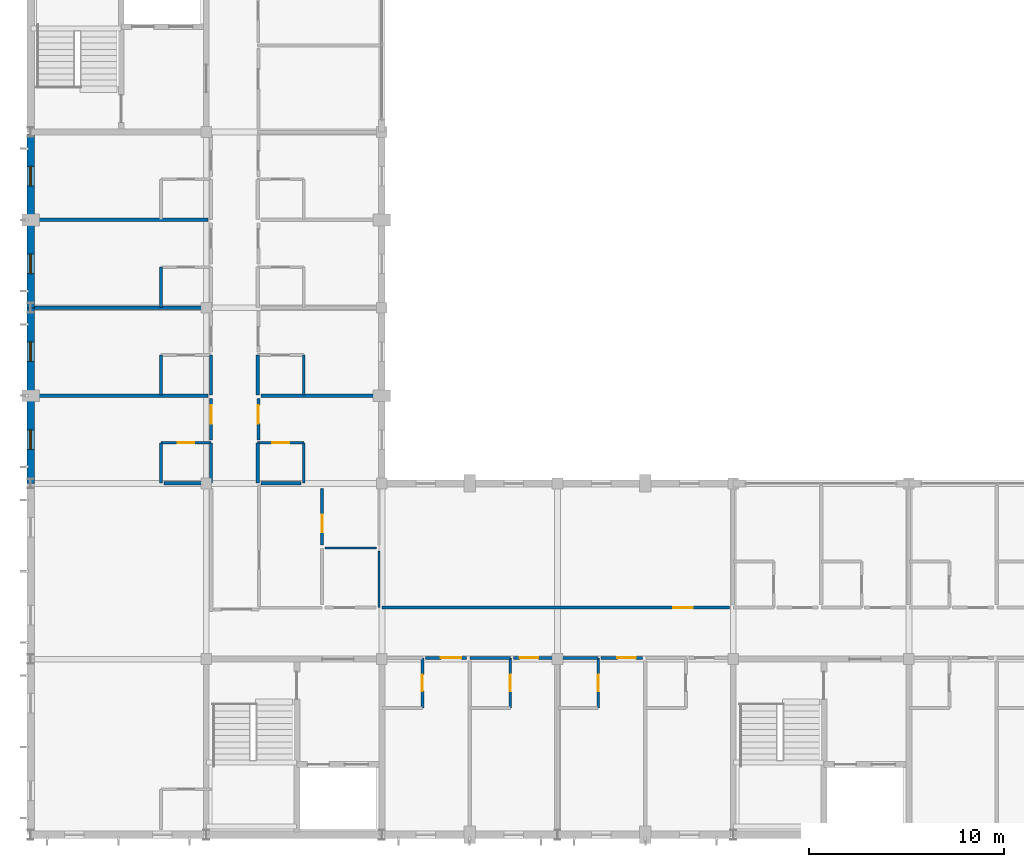
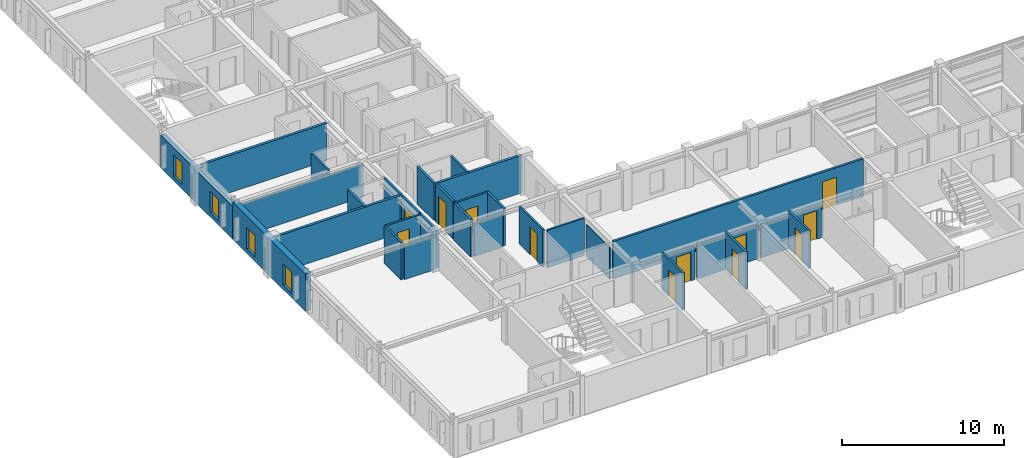
# One storey, part 18 of 37: 33 walls, 12 doors, 4 windows, 16 openings.
"""IFC4 building model written with IfcOpenShell, lengths in metres."""

from ifc_helpers import new_model, si_unit, direction, frame, frame_2d, origin, place, context, subcontext, project, spatial, rectangle, extrude, material, layer, layer_set, type_object, element, fill, save


model = new_model("IFC4")

# Units and contexts
model_context = context("Model", 3, precision=1e-05, world=origin(), true_north=direction((0.0, 1.0)))
body_context = subcontext(model_context, "Body", "Model", "MODEL_VIEW")
ifc_project = project(units=[si_unit("LENGTHUNIT", "METRE"), si_unit("AREAUNIT", "SQUARE_METRE"), si_unit("VOLUMEUNIT", "CUBIC_METRE"), si_unit("PLANEANGLEUNIT", "RADIAN"), si_unit("MASSUNIT", "GRAM", prefix="KILO")], contexts=[model_context])

# Site, building, storey
site_placement = place(None, origin())
site = spatial("IfcSite", under=ifc_project, at=site_placement, CompositionType="ELEMENT")
building_placement = place(site_placement, origin())
building = spatial("IfcBuilding", under=site, at=building_placement, Name="Palais des Congres Ocreval", CompositionType="ELEMENT")
storey_placement = place(building_placement, frame((0.0, 0.0, 11.52001953125)))
storey = spatial("IfcBuildingStorey", under=building, at=storey_placement, Name="L03", CompositionType="ELEMENT", Elevation=11.52001953125)

# Wall, opening, door
ifc_material_1 = material(Name="Moisture-resistant gypsum board")
ifc_layer_1 = layer(ifc_material_1, 0.139892578125)
ifc_layer_set_1 = layer_set([ifc_layer_1], Name="Bathroom Plumbing Chase Wall 140 Gypsum (Moisture-resistant gypsum board)")
wall_type_1 = type_object("IfcWallType", Name="Bathroom Plumbing Chase Wall 140 Gypsum", PredefinedType="PLUMBINGWALL", material=ifc_layer_set_1)
wall_1_placement = place(storey_placement, frame((20.080078125, 6.5, 0.0), z_axis=(0.0, 0.0, 1.0), x_axis=(0.0, 1.0, 0.0)))
wall_1 = element("IfcWall", 1, at=wall_1_placement, inside=storey, type_object=wall_type_1, Name="Bathroom Plumbing Wall PW03 L03", PredefinedType="PLUMBINGWALL", context=body_context, shape_type="SweptSolid", body=[
    extrude(rectangle(XDim=2.56005859375, YDim=0.139892578125, at=frame_2d((1.280029296875, 0.0))), origin(), (0.0, 0.0, 1.0), 2.820068359375),
])
opening_1_placement = place(wall_1_placement, frame((0.85498046875, 0.0, 0.0)))
opening_1 = element("IfcOpeningElement", 2, at=opening_1_placement, cuts=wall_1, Name="Opening D08", PredefinedType="OPENING", context=body_context, shape_type="SweptSolid", body=[
    extrude(rectangle(XDim=0.85009765625, YDim=2.0400390625, at=frame_2d((0.425048828125, 1.02001953125))), frame((0.0, 0.079833984375, 0.0), z_axis=(0.0, -1.0, 0.0), x_axis=(1.0, 0.0, 0.0)), (0.0, 0.0, 1.0), 0.159912109375),
])
ifc_material_2 = material(Name="Solid French oak", Category="wood")
door_type_1 = type_object("IfcDoorType", Name="En-Suite Bathroom Door 850x2040", OperationType="NOTDEFINED", PredefinedType="DOOR", material=ifc_material_2)
door_1_placement = place(opening_1_placement, origin())
door_1 = element("IfcDoor", 3, at=door_1_placement, inside=storey, type_object=door_type_1, Name="En-Suite Bathroom Door D08 L03", OperationType="SINGLE_SWING_RIGHT", OverallHeight=2.0400390625, OverallWidth=0.85009765625, PredefinedType="DOOR", context=body_context, shape_type="SweptSolid", body=[
    extrude(rectangle(XDim=0.85009765625, YDim=2.0400390625, at=frame_2d((0.425048828125, 1.02001953125))), frame((0.0, 0.02490234375, 0.0), z_axis=(0.0, -1.0, 0.0), x_axis=(1.0, 0.0, 0.0)), (0.0, 0.0, 1.0), 0.050048828125),
])
fill(opening_1, door_1)

wall_2_placement = place(storey_placement, frame((24.580078125, 6.5, 0.0), z_axis=(0.0, 0.0, 1.0), x_axis=(0.0, 1.0, 0.0)))
wall_2 = element("IfcWall", 4, at=wall_2_placement, inside=storey, type_object=wall_type_1, Name="Bathroom Plumbing Wall PW03 L03", PredefinedType="PLUMBINGWALL", context=body_context, shape_type="SweptSolid", body=[
    extrude(rectangle(XDim=2.56005859375, YDim=0.139892578125, at=frame_2d((1.280029296875, 0.0))), origin(), (0.0, 0.0, 1.0), 2.820068359375),
])
opening_2_placement = place(wall_2_placement, frame((0.85498046875, 0.0, 0.0)))
opening_2 = element("IfcOpeningElement", 5, at=opening_2_placement, cuts=wall_2, Name="Opening D08", PredefinedType="OPENING", context=body_context, shape_type="SweptSolid", body=[
    extrude(rectangle(XDim=0.85009765625, YDim=2.0400390625, at=frame_2d((0.425048828125, 1.02001953125))), frame((0.0, 0.079833984375, 0.0), z_axis=(0.0, -1.0, 0.0), x_axis=(1.0, 0.0, 0.0)), (0.0, 0.0, 1.0), 0.159912109375),
])
door_2_placement = place(opening_2_placement, origin())
door_2 = element("IfcDoor", 6, at=door_2_placement, inside=storey, type_object=door_type_1, Name="En-Suite Bathroom Door D08 L03", OperationType="SINGLE_SWING_LEFT", OverallHeight=2.0400390625, OverallWidth=0.85009765625, PredefinedType="DOOR", context=body_context, shape_type="SweptSolid", body=[
    extrude(rectangle(XDim=0.85009765625, YDim=2.0400390625, at=frame_2d((0.425048828125, 1.02001953125))), frame((0.0, 0.02490234375, 0.0), z_axis=(0.0, -1.0, 0.0), x_axis=(1.0, 0.0, 0.0)), (0.0, 0.0, 1.0), 0.050048828125),
])
fill(opening_2, door_2)

wall_3_placement = place(storey_placement, frame((29.080078125, 6.5, 0.0), z_axis=(0.0, 0.0, 1.0), x_axis=(0.0, 1.0, 0.0)))
wall_3 = element("IfcWall", 7, at=wall_3_placement, inside=storey, type_object=wall_type_1, Name="Bathroom Plumbing Wall PW03 L03", PredefinedType="PLUMBINGWALL", context=body_context, shape_type="SweptSolid", body=[
    extrude(rectangle(XDim=2.56005859375, YDim=0.139892578125, at=frame_2d((1.280029296875, 0.0))), origin(), (0.0, 0.0, 1.0), 2.820068359375),
])
opening_3_placement = place(wall_3_placement, frame((0.85498046875, 0.0, 0.0)))
opening_3 = element("IfcOpeningElement", 8, at=opening_3_placement, cuts=wall_3, Name="Opening D08", PredefinedType="OPENING", context=body_context, shape_type="SweptSolid", body=[
    extrude(rectangle(XDim=0.85009765625, YDim=2.0400390625, at=frame_2d((0.425048828125, 1.02001953125))), frame((0.0, 0.079833984375, 0.0), z_axis=(0.0, -1.0, 0.0), x_axis=(1.0, 0.0, 0.0)), (0.0, 0.0, 1.0), 0.159912109375),
])
door_3_placement = place(opening_3_placement, origin())
door_3 = element("IfcDoor", 9, at=door_3_placement, inside=storey, type_object=door_type_1, Name="En-Suite Bathroom Door D08 L03", OperationType="SINGLE_SWING_RIGHT", OverallHeight=2.0400390625, OverallWidth=0.85009765625, PredefinedType="DOOR", context=body_context, shape_type="SweptSolid", body=[
    extrude(rectangle(XDim=0.85009765625, YDim=2.0400390625, at=frame_2d((0.425048828125, 1.02001953125))), frame((0.0, 0.02490234375, 0.0), z_axis=(0.0, -1.0, 0.0), x_axis=(1.0, 0.0, 0.0)), (0.0, 0.0, 1.0), 0.050048828125),
])
fill(opening_3, door_3)

wall_4_placement = place(storey_placement, frame((6.679931640625, 20.080078125, 0.0), z_axis=(0.0, 0.0, 1.0), x_axis=(1.0, 0.0, 0.0)))
wall_4 = element("IfcWall", 10, at=wall_4_placement, inside=storey, type_object=wall_type_1, Name="Bathroom Plumbing Wall PW03 L03", PredefinedType="PLUMBINGWALL", context=body_context, shape_type="SweptSolid", body=[
    extrude(rectangle(XDim=2.56005859375, YDim=0.139892578125, at=frame_2d((1.280029296875, 0.0))), origin(), (0.0, 0.0, 1.0), 2.820068359375),
])
opening_4_placement = place(wall_4_placement, frame((0.85498046875, 0.0, 0.0)))
opening_4 = element("IfcOpeningElement", 11, at=opening_4_placement, cuts=wall_4, Name="Opening D08", PredefinedType="OPENING", context=body_context, shape_type="SweptSolid", body=[
    extrude(rectangle(XDim=0.85009765625, YDim=2.0400390625, at=frame_2d((0.425048828125, 1.02001953125))), frame((0.0, 0.079833984375, 0.0), z_axis=(0.0, -1.0, 0.0), x_axis=(1.0, 0.0, 0.0)), (0.0, 0.0, 1.0), 0.159912109375),
])
door_4_placement = place(opening_4_placement, origin())
door_4 = element("IfcDoor", 12, at=door_4_placement, inside=storey, type_object=door_type_1, Name="En-Suite Bathroom Door D08 L03", OperationType="SINGLE_SWING_LEFT", OverallHeight=2.0400390625, OverallWidth=0.85009765625, PredefinedType="DOOR", context=body_context, shape_type="SweptSolid", body=[
    extrude(rectangle(XDim=0.85009765625, YDim=2.0400390625, at=frame_2d((0.425048828125, 1.02001953125))), frame((0.0, 0.02490234375, 0.0), z_axis=(0.0, -1.0, 0.0), x_axis=(1.0, 0.0, 0.0)), (0.0, 0.0, 1.0), 0.050048828125),
])
fill(opening_4, door_4)

# Walls
for number, where, z_axis, x_axis, name in (
    (13, (6.679931640625, 18.02001953125, 0.0), (0.0, 0.0, 1.0), (0.0, 1.0, 0.0), "Bathroom Plumbing Wall PW03 L03"),
    (14, (6.679931640625, 22.52001953125, 0.0), (0.0, 0.0, 1.0), (0.0, 1.0, 0.0), "Bathroom Plumbing Wall PW03 L03"),
):
    element("IfcWall", number, at=place(storey_placement, frame(where, z_axis=z_axis, x_axis=x_axis)), inside=storey, type_object=wall_type_1, Name=name, PredefinedType="PLUMBINGWALL", context=body_context, shape_type="SweptSolid", body=[
        extrude(rectangle(XDim=2.06005859375, YDim=0.139892578125, at=frame_2d((1.030029296875, 0.0))), origin(), (0.0, 0.0, 1.0), 2.820068359375),
    ])

# Wall, opening, door
wall_5_placement = place(storey_placement, frame((11.639892578125, 20.080078125, 0.0), z_axis=(0.0, 0.0, 1.0), x_axis=(1.0, 0.0, 0.0)))
wall_5 = element("IfcWall", 15, at=wall_5_placement, inside=storey, type_object=wall_type_1, Name="Bathroom Plumbing Wall PW03 L03", PredefinedType="PLUMBINGWALL", context=body_context, shape_type="SweptSolid", body=[
    extrude(rectangle(XDim=2.360107421875, YDim=0.139892578125, at=frame_2d((1.18017578125, 0.0))), origin(), (0.0, 0.0, 1.0), 2.820068359375),
])
opening_5_placement = place(wall_5_placement, frame((0.7548828125, 0.0, 0.0)))
opening_5 = element("IfcOpeningElement", 16, at=opening_5_placement, cuts=wall_5, Name="Opening D08", PredefinedType="OPENING", context=body_context, shape_type="SweptSolid", body=[
    extrude(rectangle(XDim=0.85009765625, YDim=2.0400390625, at=frame_2d((0.425048828125, 1.02001953125))), frame((0.0, 0.079833984375, 0.0), z_axis=(0.0, -1.0, 0.0), x_axis=(1.0, 0.0, 0.0)), (0.0, 0.0, 1.0), 0.159912109375),
])
door_5_placement = place(opening_5_placement, origin())
door_5 = element("IfcDoor", 17, at=door_5_placement, inside=storey, type_object=door_type_1, Name="En-Suite Bathroom Door D08 L03", OperationType="SINGLE_SWING_LEFT", OverallHeight=2.0400390625, OverallWidth=0.85009765625, PredefinedType="DOOR", context=body_context, shape_type="SweptSolid", body=[
    extrude(rectangle(XDim=0.85009765625, YDim=2.0400390625, at=frame_2d((0.425048828125, 1.02001953125))), frame((0.0, 0.02490234375, 0.0), z_axis=(0.0, -1.0, 0.0), x_axis=(1.0, 0.0, 0.0)), (0.0, 0.0, 1.0), 0.050048828125),
])
fill(opening_5, door_5)

# Walls
for number, where, z_axis, x_axis, name in (
    (18, (14.0, 18.02001953125, 0.0), (0.0, 0.0, 1.0), (0.0, 1.0, 0.0), "Bathroom Plumbing Wall PW03 L03"),
    (19, (14.0, 22.52001953125, 0.0), (0.0, 0.0, 1.0), (0.0, 1.0, 0.0), "Bathroom Plumbing Wall PW03 L03"),
    (20, (6.679931640625, 27.02001953125, 0.0), (0.0, 0.0, 1.0), (0.0, 1.0, 0.0), "Bathroom Plumbing Wall PW03 L03"),
):
    element("IfcWall", number, at=place(storey_placement, frame(where, z_axis=z_axis, x_axis=x_axis)), inside=storey, type_object=wall_type_1, Name=name, PredefinedType="PLUMBINGWALL", context=body_context, shape_type="SweptSolid", body=[
        extrude(rectangle(XDim=2.06005859375, YDim=0.139892578125, at=frame_2d((1.030029296875, 0.0))), origin(), (0.0, 0.0, 1.0), 2.820068359375),
    ])

# Wall, opening, door
wall_6_placement = place(storey_placement, frame((14.93505859375, 14.844970703125, 0.0), z_axis=(0.0, 0.0, 1.0), x_axis=(0.0, 1.0, 0.0)))
wall_6 = element("IfcWall", 21, at=wall_6_placement, inside=storey, type_object=wall_type_1, Name="Interior Partition PW03 L03", PredefinedType="PLUMBINGWALL", context=body_context, shape_type="SweptSolid", body=[
    extrude(rectangle(XDim=2.885009765625, YDim=0.139892578125, at=frame_2d((1.4423828125, 0.0))), origin(), (0.0, 0.0, 1.0), 2.820068359375),
])
opening_6_placement = place(wall_6_placement, frame((0.646240234375, 0.0, 0.0)))
opening_6 = element("IfcOpeningElement", 22, at=opening_6_placement, cuts=wall_6, Name="Opening D09", PredefinedType="OPENING", context=body_context, shape_type="SweptSolid", body=[
    extrude(rectangle(XDim=0.89990234375, YDim=2.10009765625, at=frame_2d((0.449951171875, 1.050048828125))), frame((0.0, 0.079833984375, 0.0), z_axis=(0.0, -1.0, 0.0), x_axis=(1.0, 0.0, 0.0)), (0.0, 0.0, 1.0), 0.159912109375),
])
door_type_2 = type_object("IfcDoorType", Name="Accessible Restroom Door 900x2100", OperationType="NOTDEFINED", PredefinedType="DOOR", material=ifc_material_2)
door_6_placement = place(opening_6_placement, origin())
door_6 = element("IfcDoor", 23, at=door_6_placement, inside=storey, type_object=door_type_2, Name="Interior Door D09 L03", OperationType="SINGLE_SWING_LEFT", OverallHeight=2.10009765625, OverallWidth=0.89990234375, PredefinedType="DOOR", context=body_context, shape_type="SweptSolid", body=[
    extrude(rectangle(XDim=0.89990234375, YDim=2.10009765625, at=frame_2d((0.449951171875, 1.050048828125))), frame((0.0, 0.02490234375, 0.0), z_axis=(0.0, -1.0, 0.0), x_axis=(1.0, 0.0, 0.0)), (0.0, 0.0, 1.0), 0.050048828125),
])
fill(opening_6, door_6)

# Walls
ifc_material_3 = material(Name="Gypsum acoustic partition")
ifc_layer_2 = layer(ifc_material_3, 0.159912109375)
ifc_layer_set_2 = layer_set([ifc_layer_2], Name="Corridor Fire Partition 160 Gypsum (Gypsum acoustic partition)")
wall_type_2 = type_object("IfcWallType", Name="Corridor Fire Partition 160 Gypsum", PredefinedType="PARTITIONING", material=ifc_layer_set_2)
wall_7_placement = place(storey_placement, frame((22.52001953125, 9.06005859375, 0.0), z_axis=(0.0, 0.0, 1.0), x_axis=(1.0, 0.0, 0.0)))
element("IfcWall", 24, at=wall_7_placement, inside=storey, type_object=wall_type_2, Name="Corridor Partition IW03 L03", PredefinedType="PARTITIONING", context=body_context, shape_type="SweptSolid", body=[
    extrude(rectangle(XDim=2.06005859375, YDim=0.159912109375, at=frame_2d((1.030029296875, 0.0))), origin(), (0.0, 0.0, 1.0), 2.449951171875),
])
wall_8_placement = place(storey_placement, frame((27.02001953125, 9.06005859375, 0.0), z_axis=(0.0, 0.0, 1.0), x_axis=(1.0, 0.0, 0.0)))
element("IfcWall", 25, at=wall_8_placement, inside=storey, type_object=wall_type_2, Name="Corridor Partition IW03 L03", PredefinedType="PARTITIONING", context=body_context, shape_type="SweptSolid", body=[
    extrude(rectangle(XDim=2.06005859375, YDim=0.159912109375, at=frame_2d((1.030029296875, 0.0))), origin(), (0.0, 0.0, 1.0), 2.389892578125),
])
for number, where, z_axis, x_axis, name in (
    (26, (9.239990234375, 18.02001953125, 0.0), (0.0, 0.0, 1.0), (0.0, 1.0, 0.0), "Corridor Partition IW03 L03"),
    (27, (9.239990234375, 22.52001953125, 0.0), (0.0, 0.0, 1.0), (0.0, 1.0, 0.0), "Corridor Partition IW03 L03"),
    (28, (11.639892578125, 18.02001953125, 0.0), (0.0, 0.0, 1.0), (0.0, 1.0, 0.0), "Corridor Partition IW03 L03"),
    (29, (11.639892578125, 22.52001953125, 0.0), (0.0, 0.0, 1.0), (0.0, 1.0, 0.0), "Corridor Partition IW03 L03"),
):
    element("IfcWall", number, at=place(storey_placement, frame(where, z_axis=z_axis, x_axis=x_axis)), inside=storey, type_object=wall_type_2, Name=name, PredefinedType="PARTITIONING", context=body_context, shape_type="SweptSolid", body=[
        extrude(rectangle(XDim=2.06005859375, YDim=0.159912109375, at=frame_2d((1.030029296875, 0.0))), origin(), (0.0, 0.0, 1.0), 2.820068359375),
    ])

# Wall, opening, door
wall_9_placement = place(storey_placement, frame((20.235107421875, 9.06494140625, 0.0), z_axis=(0.0, 0.0, 1.0), x_axis=(1.0, 0.0, 0.0)))
wall_9 = element("IfcWall", 30, at=wall_9_placement, inside=storey, type_object=wall_type_2, Name="Interior Partition IW03 L03", PredefinedType="PARTITIONING", context=body_context, shape_type="SweptSolid", body=[
    extrude(rectangle(XDim=2.10986328125, YDim=0.159912109375, at=frame_2d((1.054931640625, 0.0))), origin(), (0.0, 0.0, 1.0), 2.449951171875),
])
opening_7_placement = place(wall_9_placement, frame((0.783203125, 0.0, 0.0)))
opening_7 = element("IfcOpeningElement", 31, at=opening_7_placement, cuts=wall_9, Name="Opening D06", PredefinedType="OPENING", context=body_context, shape_type="SweptSolid", body=[
    extrude(rectangle(XDim=1.050048828125, YDim=2.14990234375, at=frame_2d((0.52490234375, 1.074951171875))), frame((0.0, 0.08984375, 0.0), z_axis=(0.0, -1.0, 0.0), x_axis=(1.0, 0.0, 0.0)), (0.0, 0.0, 1.0), 0.179931640625),
])
door_type_3 = type_object("IfcDoorType", Name="Accessible Guestroom Door 1050x2150", OperationType="NOTDEFINED", PredefinedType="DOOR", material=ifc_material_2)
door_7_placement = place(opening_7_placement, origin())
door_7 = element("IfcDoor", 32, at=door_7_placement, inside=storey, type_object=door_type_3, Name="Interior Door D06 L03", OperationType="SINGLE_SWING_LEFT", OverallHeight=2.14990234375, OverallWidth=1.050048828125, PredefinedType="DOOR", context=body_context, shape_type="SweptSolid", body=[
    extrude(rectangle(XDim=1.050048828125, YDim=2.14990234375, at=frame_2d((0.52490234375, 1.074951171875))), frame((0.0, 0.02490234375, 0.0), z_axis=(0.0, -1.0, 0.0), x_axis=(1.0, 0.0, 0.0)), (0.0, 0.0, 1.0), 0.050048828125),
])
fill(opening_7, door_7)

wall_10_placement = place(storey_placement, frame((24.735107421875, 9.06494140625, 0.0), z_axis=(0.0, 0.0, 1.0), x_axis=(1.0, 0.0, 0.0)))
wall_10 = element("IfcWall", 33, at=wall_10_placement, inside=storey, type_object=wall_type_2, Name="Interior Partition IW03 L03", PredefinedType="PARTITIONING", context=body_context, shape_type="SweptSolid", body=[
    extrude(rectangle(XDim=2.10986328125, YDim=0.159912109375, at=frame_2d((1.054931640625, 0.0))), origin(), (0.0, 0.0, 1.0), 2.449951171875),
])
opening_8_placement = place(wall_10_placement, frame((0.326904296875, 0.0, 0.0)))
opening_8 = element("IfcOpeningElement", 34, at=opening_8_placement, cuts=wall_10, Name="Opening D05", PredefinedType="OPENING", context=body_context, shape_type="SweptSolid", body=[
    extrude(rectangle(XDim=0.949951171875, YDim=2.14990234375, at=frame_2d((0.47509765625, 1.074951171875))), frame((0.0, 0.08984375, 0.0), z_axis=(0.0, -1.0, 0.0), x_axis=(1.0, 0.0, 0.0)), (0.0, 0.0, 1.0), 0.179931640625),
])
door_type_4 = type_object("IfcDoorType", Name="Hotel Guestroom Entrance Door 950x2150", OperationType="NOTDEFINED", PredefinedType="DOOR", material=ifc_material_2)
door_8_placement = place(opening_8_placement, origin())
door_8 = element("IfcDoor", 35, at=door_8_placement, inside=storey, type_object=door_type_4, Name="Interior Door D05 L03", OperationType="SINGLE_SWING_RIGHT", OverallHeight=2.14990234375, OverallWidth=0.949951171875, PredefinedType="DOOR", context=body_context, shape_type="SweptSolid", body=[
    extrude(rectangle(XDim=0.949951171875, YDim=2.14990234375, at=frame_2d((0.47509765625, 1.074951171875))), frame((0.0, 0.02490234375, 0.0), z_axis=(0.0, -1.0, 0.0), x_axis=(1.0, 0.0, 0.0)), (0.0, 0.0, 1.0), 0.050048828125),
])
fill(opening_8, door_8)

wall_11_placement = place(storey_placement, frame((29.235107421875, 9.06494140625, 0.0), z_axis=(0.0, 0.0, 1.0), x_axis=(1.0, 0.0, 0.0)))
wall_11 = element("IfcWall", 36, at=wall_11_placement, inside=storey, type_object=wall_type_2, Name="Interior Partition IW03 L03", PredefinedType="PARTITIONING", context=body_context, shape_type="SweptSolid", body=[
    extrude(rectangle(XDim=2.10986328125, YDim=0.159912109375, at=frame_2d((1.054931640625, 0.0))), origin(), (0.0, 0.0, 1.0), 2.389892578125),
])
opening_9_placement = place(wall_11_placement, frame((0.833251953125, 0.0, 0.0)))
opening_9 = element("IfcOpeningElement", 37, at=opening_9_placement, cuts=wall_11, Name="Opening D05", PredefinedType="OPENING", context=body_context, shape_type="SweptSolid", body=[
    extrude(rectangle(XDim=0.949951171875, YDim=2.14990234375, at=frame_2d((0.47509765625, 1.074951171875))), frame((0.0, 0.08984375, 0.0), z_axis=(0.0, -1.0, 0.0), x_axis=(1.0, 0.0, 0.0)), (0.0, 0.0, 1.0), 0.179931640625),
])
door_9_placement = place(opening_9_placement, origin())
door_9 = element("IfcDoor", 38, at=door_9_placement, inside=storey, type_object=door_type_4, Name="Interior Door D05 L03", OperationType="SINGLE_SWING_LEFT", OverallHeight=2.14990234375, OverallWidth=0.949951171875, PredefinedType="DOOR", context=body_context, shape_type="SweptSolid", body=[
    extrude(rectangle(XDim=0.949951171875, YDim=2.14990234375, at=frame_2d((0.47509765625, 1.074951171875))), frame((0.0, 0.02490234375, 0.0), z_axis=(0.0, -1.0, 0.0), x_axis=(1.0, 0.0, 0.0)), (0.0, 0.0, 1.0), 0.050048828125),
])
fill(opening_9, door_9)

wall_12_placement = place(storey_placement, frame((18.0048828125, 11.635009765625, 0.0), z_axis=(0.0, 0.0, 1.0), x_axis=(1.0, 0.0, 0.0)))
wall_12 = element("IfcWall", 39, at=wall_12_placement, inside=storey, type_object=wall_type_2, Name="Interior Partition IW03 L03", PredefinedType="PARTITIONING", context=body_context, shape_type="SweptSolid", body=[
    extrude(rectangle(XDim=17.815185546875, YDim=0.159912109375, at=frame_2d((8.90771484375, 0.0))), origin(), (0.0, 0.0, 1.0), 2.820068359375),
])
opening_10_placement = place(wall_12_placement, frame((14.9150390625, 0.0, 0.0)))
opening_10 = element("IfcOpeningElement", 40, at=opening_10_placement, cuts=wall_12, Name="Opening D10", PredefinedType="OPENING", context=body_context, shape_type="SweptSolid", body=[
    extrude(rectangle(XDim=1.0, YDim=2.10009765625, at=frame_2d((0.5, 1.050048828125))), frame((0.0, 0.08984375, 0.0), z_axis=(0.0, -1.0, 0.0), x_axis=(1.0, 0.0, 0.0)), (0.0, 0.0, 1.0), 0.179931640625),
])
ifc_material_4 = material(Name="Painted steel", Category="steel")
door_type_5 = type_object("IfcDoorType", Name="Service and Pantry Door 1000x2100", OperationType="NOTDEFINED", PredefinedType="DOOR", material=ifc_material_4)
door_10_placement = place(opening_10_placement, origin())
door_10 = element("IfcDoor", 41, at=door_10_placement, inside=storey, type_object=door_type_5, Name="Interior Door D10 L03", OperationType="SINGLE_SWING_LEFT", OverallHeight=2.10009765625, OverallWidth=1.0, PredefinedType="DOOR", context=body_context, shape_type="SweptSolid", body=[
    extrude(rectangle(XDim=1.0, YDim=2.10009765625, at=frame_2d((0.5, 1.050048828125))), frame((0.0, 0.02490234375, 0.0), z_axis=(0.0, -1.0, 0.0), x_axis=(1.0, 0.0, 0.0)), (0.0, 0.0, 1.0), 0.050048828125),
])
fill(opening_10, door_10)

wall_13_placement = place(storey_placement, frame((9.25, 20.235107421875, 0.0), z_axis=(0.0, 0.0, 1.0), x_axis=(0.0, 1.0, 0.0)))
wall_13 = element("IfcWall", 42, at=wall_13_placement, inside=storey, type_object=wall_type_2, Name="Interior Partition IW03 L03", PredefinedType="PARTITIONING", context=body_context, shape_type="SweptSolid", body=[
    extrude(rectangle(XDim=2.10986328125, YDim=0.159912109375, at=frame_2d((1.054931640625, 0.0))), origin(), (0.0, 0.0, 1.0), 2.820068359375),
])
opening_11_placement = place(wall_13_placement, frame((0.833251953125, 0.0, 0.0)))
opening_11 = element("IfcOpeningElement", 43, at=opening_11_placement, cuts=wall_13, Name="Opening D05", PredefinedType="OPENING", context=body_context, shape_type="SweptSolid", body=[
    extrude(rectangle(XDim=0.949951171875, YDim=2.14990234375, at=frame_2d((0.47509765625, 1.074951171875))), frame((0.0, 0.08984375, 0.0), z_axis=(0.0, -1.0, 0.0), x_axis=(1.0, 0.0, 0.0)), (0.0, 0.0, 1.0), 0.179931640625),
])
door_11_placement = place(opening_11_placement, origin())
door_11 = element("IfcDoor", 44, at=door_11_placement, inside=storey, type_object=door_type_4, Name="Interior Door D05 L03", OperationType="SINGLE_SWING_LEFT", OverallHeight=2.14990234375, OverallWidth=0.949951171875, PredefinedType="DOOR", context=body_context, shape_type="SweptSolid", body=[
    extrude(rectangle(XDim=0.949951171875, YDim=2.14990234375, at=frame_2d((0.47509765625, 1.074951171875))), frame((0.0, 0.02490234375, 0.0), z_axis=(0.0, -1.0, 0.0), x_axis=(1.0, 0.0, 0.0)), (0.0, 0.0, 1.0), 0.050048828125),
])
fill(opening_11, door_11)

wall_14_placement = place(storey_placement, frame((11.669921875, 20.235107421875, 0.0), z_axis=(0.0, 0.0, 1.0), x_axis=(0.0, 1.0, 0.0)))
wall_14 = element("IfcWall", 45, at=wall_14_placement, inside=storey, type_object=wall_type_2, Name="Interior Partition IW03 L03", PredefinedType="PARTITIONING", context=body_context, shape_type="SweptSolid", body=[
    extrude(rectangle(XDim=2.10986328125, YDim=0.159912109375, at=frame_2d((1.054931640625, 0.0))), origin(), (0.0, 0.0, 1.0), 2.820068359375),
])
opening_12_placement = place(wall_14_placement, frame((0.833251953125, 0.0, 0.0)))
opening_12 = element("IfcOpeningElement", 46, at=opening_12_placement, cuts=wall_14, Name="Opening D05", PredefinedType="OPENING", context=body_context, shape_type="SweptSolid", body=[
    extrude(rectangle(XDim=0.949951171875, YDim=2.14990234375, at=frame_2d((0.47509765625, 1.074951171875))), frame((0.0, 0.08984375, 0.0), z_axis=(0.0, -1.0, 0.0), x_axis=(1.0, 0.0, 0.0)), (0.0, 0.0, 1.0), 0.179931640625),
])
door_12_placement = place(opening_12_placement, origin())
door_12 = element("IfcDoor", 47, at=door_12_placement, inside=storey, type_object=door_type_4, Name="Interior Door D05 L03", OperationType="SINGLE_SWING_LEFT", OverallHeight=2.14990234375, OverallWidth=0.949951171875, PredefinedType="DOOR", context=body_context, shape_type="SweptSolid", body=[
    extrude(rectangle(XDim=0.949951171875, YDim=2.14990234375, at=frame_2d((0.47509765625, 1.074951171875))), frame((0.0, 0.02490234375, 0.0), z_axis=(0.0, -1.0, 0.0), x_axis=(1.0, 0.0, 0.0)), (0.0, 0.0, 1.0), 0.050048828125),
])
fill(opening_12, door_12)

# Walls
ifc_layer_3 = layer(ifc_material_3, 0.179931640625)
ifc_layer_set_3 = layer_set([ifc_layer_3], Name="Hotel Inter-Room Acoustic Partition 180 Gypsum (Gypsum acoustic partition)")
wall_type_3 = type_object("IfcWallType", Name="Hotel Inter-Room Acoustic Partition 180 Gypsum", PredefinedType="PARTITIONING", material=ifc_layer_set_3)
wall_15_placement = place(storey_placement, frame((0.195068359375, 22.5, 0.0), z_axis=(0.0, 0.0, 1.0), x_axis=(1.0, 0.0, 0.0)))
element("IfcWall", 48, at=wall_15_placement, inside=storey, type_object=wall_type_3, Name="Hotel Party Partition IW02 L03", PredefinedType="PARTITIONING", context=body_context, shape_type="SweptSolid", body=[
    extrude(rectangle(XDim=8.889892578125, YDim=0.179931640625, at=frame_2d((4.44482421875, 0.0))), origin(), (0.0, 0.0, 1.0), 2.820068359375),
])
wall_16_placement = place(storey_placement, frame((0.195068359375, 27.0, 0.0), z_axis=(0.0, 0.0, 1.0), x_axis=(1.0, 0.0, 0.0)))
element("IfcWall", 49, at=wall_16_placement, inside=storey, type_object=wall_type_3, Name="Hotel Party Partition IW02 L03", PredefinedType="PARTITIONING", context=body_context, shape_type="SweptSolid", body=[
    extrude(rectangle(XDim=8.889892578125, YDim=0.179931640625, at=frame_2d((4.44482421875, 0.0))), origin(), (0.0, 0.0, 1.0), 2.449951171875),
])
wall_17_placement = place(storey_placement, frame((11.794921875, 22.5, 0.0), z_axis=(0.0, 0.0, 1.0), x_axis=(1.0, 0.0, 0.0)))
element("IfcWall", 50, at=wall_17_placement, inside=storey, type_object=wall_type_3, Name="Hotel Party Partition IW02 L03", PredefinedType="PARTITIONING", context=body_context, shape_type="SweptSolid", body=[
    extrude(rectangle(XDim=6.030029296875, YDim=0.179931640625, at=frame_2d((3.01513671875, 0.0))), origin(), (0.0, 0.0, 1.0), 2.820068359375),
])
wall_18_placement = place(storey_placement, frame((0.195068359375, 31.5, 0.0), z_axis=(0.0, 0.0, 1.0), x_axis=(1.0, 0.0, 0.0)))
element("IfcWall", 51, at=wall_18_placement, inside=storey, type_object=wall_type_3, Name="Hotel Party Partition IW02 L03", PredefinedType="PARTITIONING", context=body_context, shape_type="SweptSolid", body=[
    extrude(rectangle(XDim=8.889892578125, YDim=0.179931640625, at=frame_2d((4.44482421875, 0.0))), origin(), (0.0, 0.0, 1.0), 2.820068359375),
])
wall_19_placement = place(storey_placement, frame((6.8349609375, 18.02001953125, 0.0), z_axis=(0.0, 0.0, 1.0), x_axis=(1.0, 0.0, 0.0)))
element("IfcWall", 52, at=wall_19_placement, inside=storey, type_object=wall_type_3, Name="Bathroom Party Closure Wall IW02 L03", PredefinedType="PARTITIONING", context=body_context, shape_type="SweptSolid", body=[
    extrude(rectangle(XDim=2.260009765625, YDim=0.179931640625, at=frame_2d((1.1298828125, 0.0))), origin(), (0.0, 0.0, 1.0), 2.47998046875),
])
wall_20_placement = place(storey_placement, frame((11.794921875, 18.02001953125, 0.0), z_axis=(0.0, 0.0, 1.0), x_axis=(1.0, 0.0, 0.0)))
element("IfcWall", 53, at=wall_20_placement, inside=storey, type_object=wall_type_3, Name="Bathroom Party Closure Wall IW02 L03", PredefinedType="PARTITIONING", context=body_context, shape_type="SweptSolid", body=[
    extrude(rectangle(XDim=2.050048828125, YDim=0.179931640625, at=frame_2d((1.02490234375, 0.0))), origin(), (0.0, 0.0, 1.0), 2.419921875),
])

# Wall, openings, windows
ifc_material_5 = material(Name="Concrete C40/50", Category="concrete")
ifc_layer_4 = layer(ifc_material_5, 0.3798828125)
ifc_layer_set_4 = layer_set([ifc_layer_4], Name="Lutetian Limestone Street Wall 380 Concrete C40/50")
wall_type_4 = type_object("IfcWallType", Name="Lutetian Limestone Street Wall 380 Concrete C40/50", PredefinedType="SOLIDWALL", material=ifc_layer_set_4)
wall_21_placement = place(storey_placement, frame((0.0, 18.0, 0.0), z_axis=(0.0, 0.0, 1.0), x_axis=(0.0, 1.0, 0.0)))
wall_21 = element("IfcWall", 54, at=wall_21_placement, inside=storey, type_object=wall_type_4, Name="Exterior Wall EW03 L03", PredefinedType="SOLIDWALL", context=body_context, shape_type="SweptSolid", body=[
    extrude(rectangle(XDim=9.0, YDim=0.3798828125, at=frame_2d((4.5, 0.0))), origin(), (0.0, 0.0, 1.0), 2.820068359375),
])
opening_13_placement = place(wall_21_placement, frame((1.75, 0.0, 0.35009765625)))
opening_13 = element("IfcOpeningElement", 55, at=opening_13_placement, cuts=wall_21, Name="Opening WN18", PredefinedType="OPENING", context=body_context, shape_type="SweptSolid", body=[
    extrude(rectangle(XDim=1.0, YDim=1.60009765625, at=frame_2d((0.5, 0.800048828125))), frame((0.0, 0.199951171875, 0.0), z_axis=(0.0, -1.0, 0.0), x_axis=(1.0, 0.0, 0.0)), (0.0, 0.0, 1.0), 0.39990234375),
])
opening_14_placement = place(wall_21_placement, frame((6.25, 0.0, 0.35009765625)))
opening_14 = element("IfcOpeningElement", 56, at=opening_14_placement, cuts=wall_21, Name="Opening WN18", PredefinedType="OPENING", context=body_context, shape_type="SweptSolid", body=[
    extrude(rectangle(XDim=1.0, YDim=1.60009765625, at=frame_2d((0.5, 0.800048828125))), frame((0.0, 0.199951171875, 0.0), z_axis=(0.0, -1.0, 0.0), x_axis=(1.0, 0.0, 0.0)), (0.0, 0.0, 1.0), 0.39990234375),
])
ifc_material_6 = material(Name="Anodized bronze aluminium and low-E glass", Category="glass")
window_type = type_object("IfcWindowType", Name="Stair and Lobby Daylight Window 1000x1600", PartitioningType="SINGLE_PANEL", PredefinedType="WINDOW", material=ifc_material_6)
window_1_placement = place(opening_13_placement, origin())
window_1 = element("IfcWindow", 57, at=window_1_placement, inside=storey, type_object=window_type, Name="Hotel Facade Window WN18", OverallHeight=1.60009765625, OverallWidth=1.0, PartitioningType="SINGLE_PANEL", PredefinedType="WINDOW", context=body_context, shape_type="SweptSolid", body=[
    extrude(rectangle(XDim=1.0, YDim=1.60009765625, at=frame_2d((0.5, 0.800048828125))), frame((0.0, 0.030029296875, 0.0), z_axis=(0.0, -1.0, 0.0), x_axis=(1.0, 0.0, 0.0)), (0.0, 0.0, 1.0), 0.06005859375),
])
fill(opening_13, window_1)
window_2_placement = place(opening_14_placement, origin())
window_2 = element("IfcWindow", 58, at=window_2_placement, inside=storey, type_object=window_type, Name="Hotel Facade Window WN18", OverallHeight=1.60009765625, OverallWidth=1.0, PartitioningType="SINGLE_PANEL", PredefinedType="WINDOW", context=body_context, shape_type="SweptSolid", body=[
    extrude(rectangle(XDim=1.0, YDim=1.60009765625, at=frame_2d((0.5, 0.800048828125))), frame((0.0, 0.030029296875, 0.0), z_axis=(0.0, -1.0, 0.0), x_axis=(1.0, 0.0, 0.0)), (0.0, 0.0, 1.0), 0.06005859375),
])
fill(opening_14, window_2)

wall_22_placement = place(storey_placement, frame((0.0, 27.0, 0.0), z_axis=(0.0, 0.0, 1.0), x_axis=(0.0, 1.0, 0.0)))
wall_22 = element("IfcWall", 59, at=wall_22_placement, inside=storey, type_object=wall_type_4, Name="Exterior Wall EW03 L03", PredefinedType="SOLIDWALL", context=body_context, shape_type="SweptSolid", body=[
    extrude(rectangle(XDim=8.8701171875, YDim=0.3798828125, at=frame_2d((4.43505859375, 0.0))), origin(), (0.0, 0.0, 1.0), 2.47998046875),
])
opening_15_placement = place(wall_22_placement, frame((1.75, 0.0, 0.35009765625)))
opening_15 = element("IfcOpeningElement", 60, at=opening_15_placement, cuts=wall_22, Name="Opening WN18", PredefinedType="OPENING", context=body_context, shape_type="SweptSolid", body=[
    extrude(rectangle(XDim=1.0, YDim=1.60009765625, at=frame_2d((0.5, 0.800048828125))), frame((0.0, 0.199951171875, 0.0), z_axis=(0.0, -1.0, 0.0), x_axis=(1.0, 0.0, 0.0)), (0.0, 0.0, 1.0), 0.39990234375),
])
opening_16_placement = place(wall_22_placement, frame((6.25, 0.0, 0.35009765625)))
opening_16 = element("IfcOpeningElement", 61, at=opening_16_placement, cuts=wall_22, Name="Opening WN18", PredefinedType="OPENING", context=body_context, shape_type="SweptSolid", body=[
    extrude(rectangle(XDim=1.0, YDim=1.60009765625, at=frame_2d((0.5, 0.800048828125))), frame((0.0, 0.199951171875, 0.0), z_axis=(0.0, -1.0, 0.0), x_axis=(1.0, 0.0, 0.0)), (0.0, 0.0, 1.0), 0.39990234375),
])
window_3_placement = place(opening_15_placement, origin())
window_3 = element("IfcWindow", 62, at=window_3_placement, inside=storey, type_object=window_type, Name="Hotel Facade Window WN18", OverallHeight=1.60009765625, OverallWidth=1.0, PartitioningType="SINGLE_PANEL", PredefinedType="WINDOW", context=body_context, shape_type="SweptSolid", body=[
    extrude(rectangle(XDim=1.0, YDim=1.60009765625, at=frame_2d((0.5, 0.800048828125))), frame((0.0, 0.030029296875, 0.0), z_axis=(0.0, -1.0, 0.0), x_axis=(1.0, 0.0, 0.0)), (0.0, 0.0, 1.0), 0.06005859375),
])
fill(opening_15, window_3)
window_4_placement = place(opening_16_placement, origin())
window_4 = element("IfcWindow", 63, at=window_4_placement, inside=storey, type_object=window_type, Name="Hotel Facade Window WN18", OverallHeight=1.60009765625, OverallWidth=1.0, PartitioningType="SINGLE_PANEL", PredefinedType="WINDOW", context=body_context, shape_type="SweptSolid", body=[
    extrude(rectangle(XDim=1.0, YDim=1.60009765625, at=frame_2d((0.5, 0.800048828125))), frame((0.0, 0.030029296875, 0.0), z_axis=(0.0, -1.0, 0.0), x_axis=(1.0, 0.0, 0.0)), (0.0, 0.0, 1.0), 0.06005859375),
])
fill(opening_16, window_4)

# Walls
ifc_material_7 = material(Name="Gypsum board partition")
ifc_layer_5 = layer(ifc_material_7, 0.1201171875)
ifc_layer_set_5 = layer_set([ifc_layer_5], Name="Suite Subdivision Partition 120 Gypsum (Gypsum board partition)")
wall_type_5 = type_object("IfcWallType", Name="Suite Subdivision Partition 120 Gypsum", PredefinedType="PARTITIONING", material=ifc_layer_set_5)
wall_23_placement = place(storey_placement, frame((15.090087890625, 14.68994140625, 0.0), z_axis=(0.0, 0.0, 1.0), x_axis=(1.0, 0.0, 0.0)))
element("IfcWall", 64, at=wall_23_placement, inside=storey, type_object=wall_type_5, Name="Interior Partition IW04 L03", PredefinedType="PARTITIONING", context=body_context, shape_type="SweptSolid", body=[
    extrude(rectangle(XDim=2.639892578125, YDim=0.1201171875, at=frame_2d((1.31982421875, 0.0))), origin(), (0.0, 0.0, 1.0), 2.820068359375),
])
wall_24_placement = place(storey_placement, frame((17.85009765625, 11.639892578125, 0.0), z_axis=(0.0, 0.0, 1.0), x_axis=(0.0, 1.0, 0.0)))
element("IfcWall", 65, at=wall_24_placement, inside=storey, type_object=wall_type_5, Name="Interior Partition IW04 L03", PredefinedType="PARTITIONING", context=body_context, shape_type="SweptSolid", body=[
    extrude(rectangle(XDim=2.89501953125, YDim=0.1201171875, at=frame_2d((1.447509765625, 0.0))), origin(), (0.0, 0.0, 1.0), 2.3798828125),
])

save(model, "model.ifc")
